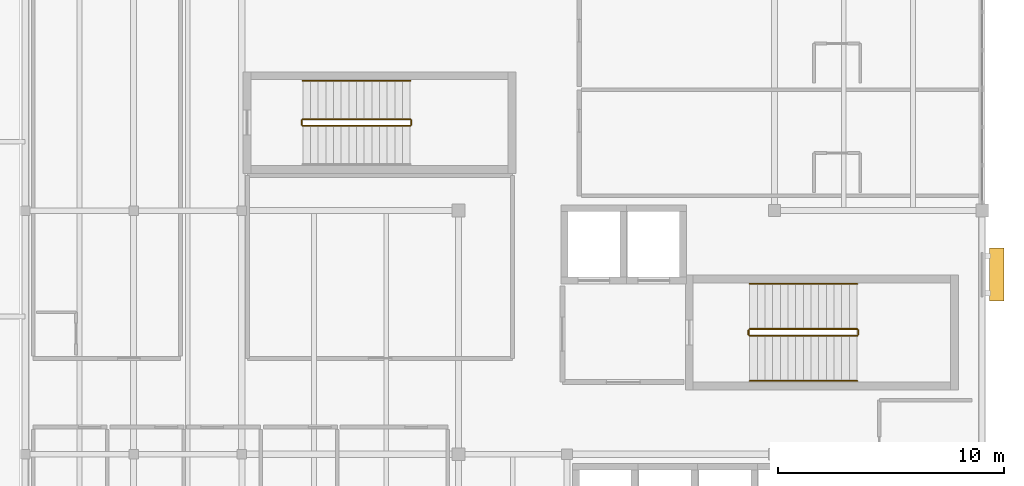
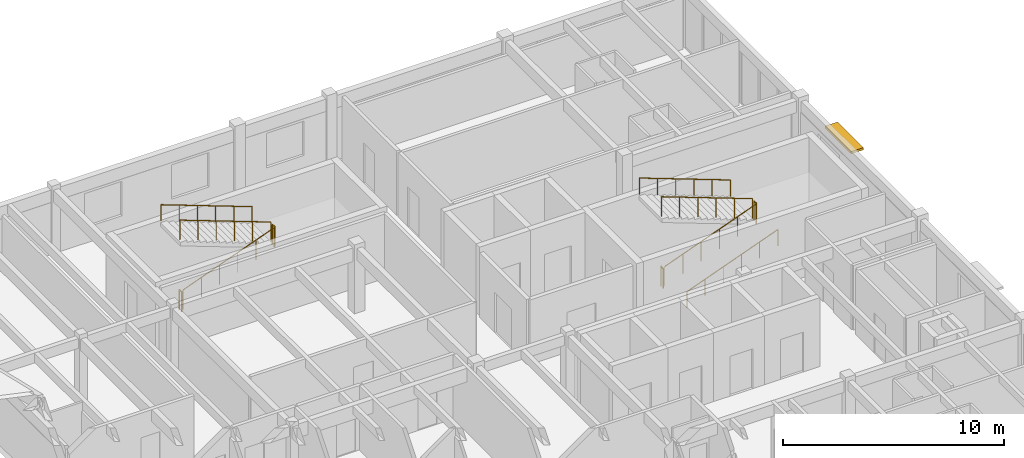
# One storey, part 40 of 40: 11 railings, 1 shading device.
"""IFC4 building model written with IfcOpenShell, lengths in metres."""

from ifc_helpers import new_model, si_unit, direction, frame, origin, origin_2d, place, context, subcontext, project, spatial, rectangle, circle, extrude, material, type_object, element, save


model = new_model("IFC4")

# Units and contexts
model_context = context("Model", 3, precision=1e-05, world=origin(), true_north=direction((0.0, 1.0)))
body_context = subcontext(model_context, "Body", "Model", "MODEL_VIEW")
ifc_project = project(units=[si_unit("LENGTHUNIT", "METRE"), si_unit("AREAUNIT", "SQUARE_METRE"), si_unit("VOLUMEUNIT", "CUBIC_METRE"), si_unit("PLANEANGLEUNIT", "RADIAN"), si_unit("MASSUNIT", "GRAM", prefix="KILO")], contexts=[model_context])

# Site, building, storey
site_placement = place(None, origin())
site = spatial("IfcSite", under=ifc_project, at=site_placement, CompositionType="ELEMENT")
building_placement = place(site_placement, origin())
building = spatial("IfcBuilding", under=site, at=building_placement, Name="Veldera Park Congress Hotel", CompositionType="ELEMENT")
storey_placement = place(building_placement, frame((0.0, 0.0, 16.199951171875)))
storey = spatial("IfcBuildingStorey", under=building, at=storey_placement, Name="L03", CompositionType="ELEMENT", Elevation=16.199951171875)

# Railings
ifc_material_1 = material(Name="Steel ASTM A992 Gr.50", Category="steel")
railing_type_1 = type_object("IfcRailingType", Name="GRD-ST110", PredefinedType="GUARDRAIL", material=ifc_material_1)
railing_1_placement = place(storey_placement, frame((73.699951171875, 41.64990234375, 0.126708984375)))
element("IfcRailing", 1, at=railing_1_placement, inside=storey, type_object=railing_type_1, Name="L03 ST1 stair guard 1", PredefinedType="GUARDRAIL", context=body_context, shape_type="SweptSolid", body=[
    extrude(circle(Radius=0.02392578125, at=origin_2d()), frame((0.0, 0.0, 1.076171875), z_axis=(0.937075640343, 0.0, 0.349126401572), x_axis=(0.0, 1.0, 0.0)), (0.0, 0.0, 1.0), 5.07958984375),
    extrude(circle(Radius=0.02099609375, at=origin_2d()), origin(), (0.0, 0.0, 1.0), 1.052001953125),
    extrude(circle(Radius=0.02099609375, at=origin_2d()), frame((0.951904296875, 0.0, 0.354736328125)), (0.0, 0.0, 1.0), 1.052001953125),
    extrude(circle(Radius=0.02099609375, at=origin_2d()), frame((1.904052734375, 0.0, 0.70947265625)), (0.0, 0.0, 1.0), 1.052001953125),
    extrude(circle(Radius=0.02099609375, at=origin_2d()), frame((2.85595703125, 0.0, 1.06396484375)), (0.0, 0.0, 1.0), 1.052001953125),
    extrude(circle(Radius=0.02099609375, at=origin_2d()), frame((3.80810546875, 0.0, 1.418701171875)), (0.0, 0.0, 1.0), 1.052001953125),
    extrude(circle(Radius=0.02099609375, at=origin_2d()), frame((4.760009765625, 0.0, 1.7734375)), (0.0, 0.0, 1.0), 1.052001953125),
])
railing_2_placement = place(storey_placement, frame((78.510009765625, 41.699951171875, 1.900146484375)))
element("IfcRailing", 2, at=railing_2_placement, inside=storey, type_object=railing_type_1, Name="L03 ST1 stair guard 2", PredefinedType="GUARDRAIL", context=body_context, shape_type="SweptSolid", body=[
    extrude(circle(Radius=0.02392578125, at=origin_2d()), frame((0.0, 0.0, 1.076171875), z_axis=(0.0, 1.0, 0.0), x_axis=(-1.0, 0.0, 0.0)), (0.0, 0.0, 1.0), 0.199951171875),
    extrude(circle(Radius=0.02099609375, at=origin_2d()), origin(), (0.0, 0.0, 1.0), 1.052001953125),
    extrude(circle(Radius=0.02099609375, at=origin_2d()), frame((0.0, 0.199951171875, 0.0)), (0.0, 0.0, 1.0), 1.052001953125),
])
railing_3_placement = place(storey_placement, frame((78.4599609375, 41.949951171875, 2.026611328125)))
element("IfcRailing", 3, at=railing_3_placement, inside=storey, type_object=railing_type_1, Name="L03 ST1 stair guard 3", PredefinedType="GUARDRAIL", context=body_context, shape_type="SweptSolid", body=[
    extrude(circle(Radius=0.02392578125, at=origin_2d()), frame((0.0, 0.0, 1.076171875), z_axis=(-0.937075640343, 0.0, 0.349126401572), x_axis=(0.0, -1.0, 0.0)), (0.0, 0.0, 1.0), 5.07958984375),
    extrude(circle(Radius=0.02099609375, at=origin_2d()), origin(), (0.0, 0.0, 1.0), 1.052001953125),
    extrude(circle(Radius=0.02099609375, at=origin_2d()), frame((-0.951904296875, 0.0, 0.354736328125)), (0.0, 0.0, 1.0), 1.052001953125),
    extrude(circle(Radius=0.02099609375, at=origin_2d()), frame((-1.904052734375, 0.0, 0.70947265625)), (0.0, 0.0, 1.0), 1.052001953125),
    extrude(circle(Radius=0.02099609375, at=origin_2d()), frame((-2.85595703125, 0.0, 1.06396484375)), (0.0, 0.0, 1.0), 1.052001953125),
    extrude(circle(Radius=0.02099609375, at=origin_2d()), frame((-3.80810546875, 0.0, 1.418701171875)), (0.0, 0.0, 1.0), 1.052001953125),
    extrude(circle(Radius=0.02099609375, at=origin_2d()), frame((-4.760009765625, 0.0, 1.7734375)), (0.0, 0.0, 1.0), 1.052001953125),
])
railing_4_placement = place(storey_placement, frame((73.64990234375, 41.699951171875, 0.0)))
element("IfcRailing", 4, at=railing_4_placement, inside=storey, type_object=railing_type_1, Name="L03 ST1 stair guard 4", PredefinedType="GUARDRAIL", context=body_context, shape_type="SweptSolid", body=[
    extrude(circle(Radius=0.02392578125, at=origin_2d()), frame((0.0, 0.0, 1.076171875), z_axis=(0.0, 1.0, 0.0), x_axis=(-1.0, 0.0, 0.0)), (0.0, 0.0, 1.0), 0.199951171875),
    extrude(circle(Radius=0.02099609375, at=origin_2d()), origin(), (0.0, 0.0, 1.0), 1.052001953125),
    extrude(circle(Radius=0.02099609375, at=origin_2d()), frame((0.0, 0.199951171875, 0.0)), (0.0, 0.0, 1.0), 1.052001953125),
])
railing_5_placement = place(storey_placement, frame((53.89990234375, 50.949951171875, 0.126708984375)))
element("IfcRailing", 5, at=railing_5_placement, inside=storey, type_object=railing_type_1, Name="L03 ST3 stair guard 1", PredefinedType="GUARDRAIL", context=body_context, shape_type="SweptSolid", body=[
    extrude(circle(Radius=0.02392578125, at=origin_2d()), frame((0.0, 0.0, 1.076171875), z_axis=(0.937075640343, 0.0, 0.349126401572), x_axis=(0.0, 1.0, 0.0)), (0.0, 0.0, 1.0), 5.07958984375),
    extrude(circle(Radius=0.02099609375, at=origin_2d()), origin(), (0.0, 0.0, 1.0), 1.052001953125),
    extrude(circle(Radius=0.02099609375, at=origin_2d()), frame((0.951904296875, 0.0, 0.354736328125)), (0.0, 0.0, 1.0), 1.052001953125),
    extrude(circle(Radius=0.02099609375, at=origin_2d()), frame((1.904052734375, 0.0, 0.70947265625)), (0.0, 0.0, 1.0), 1.052001953125),
    extrude(circle(Radius=0.02099609375, at=origin_2d()), frame((2.85595703125, 0.0, 1.06396484375)), (0.0, 0.0, 1.0), 1.052001953125),
    extrude(circle(Radius=0.02099609375, at=origin_2d()), frame((3.80810546875, 0.0, 1.418701171875)), (0.0, 0.0, 1.0), 1.052001953125),
    extrude(circle(Radius=0.02099609375, at=origin_2d()), frame((4.760009765625, 0.0, 1.7734375)), (0.0, 0.0, 1.0), 1.052001953125),
])
railing_6_placement = place(storey_placement, frame((58.7099609375, 51.0, 1.900146484375)))
element("IfcRailing", 6, at=railing_6_placement, inside=storey, type_object=railing_type_1, Name="L03 ST3 stair guard 2", PredefinedType="GUARDRAIL", context=body_context, shape_type="SweptSolid", body=[
    extrude(circle(Radius=0.02392578125, at=origin_2d()), frame((0.0, 0.0, 1.076171875), z_axis=(0.0, 1.0, 0.0), x_axis=(-1.0, 0.0, 0.0)), (0.0, 0.0, 1.0), 0.199951171875),
    extrude(circle(Radius=0.02099609375, at=origin_2d()), origin(), (0.0, 0.0, 1.0), 1.052001953125),
    extrude(circle(Radius=0.02099609375, at=origin_2d()), frame((0.0, 0.199951171875, 0.0)), (0.0, 0.0, 1.0), 1.052001953125),
])
railing_7_placement = place(storey_placement, frame((58.659912109375, 51.25, 2.026611328125)))
element("IfcRailing", 7, at=railing_7_placement, inside=storey, type_object=railing_type_1, Name="L03 ST3 stair guard 3", PredefinedType="GUARDRAIL", context=body_context, shape_type="SweptSolid", body=[
    extrude(circle(Radius=0.02392578125, at=origin_2d()), frame((0.0, 0.0, 1.076171875), z_axis=(-0.937075640343, 0.0, 0.349126401572), x_axis=(0.0, -1.0, 0.0)), (0.0, 0.0, 1.0), 5.07958984375),
    extrude(circle(Radius=0.02099609375, at=origin_2d()), origin(), (0.0, 0.0, 1.0), 1.052001953125),
    extrude(circle(Radius=0.02099609375, at=origin_2d()), frame((-0.951904296875, 0.0, 0.354736328125)), (0.0, 0.0, 1.0), 1.052001953125),
    extrude(circle(Radius=0.02099609375, at=origin_2d()), frame((-1.904052734375, 0.0, 0.70947265625)), (0.0, 0.0, 1.0), 1.052001953125),
    extrude(circle(Radius=0.02099609375, at=origin_2d()), frame((-2.85595703125, 0.0, 1.06396484375)), (0.0, 0.0, 1.0), 1.052001953125),
    extrude(circle(Radius=0.02099609375, at=origin_2d()), frame((-3.80810546875, 0.0, 1.418701171875)), (0.0, 0.0, 1.0), 1.052001953125),
    extrude(circle(Radius=0.02099609375, at=origin_2d()), frame((-4.760009765625, 0.0, 1.7734375)), (0.0, 0.0, 1.0), 1.052001953125),
])
railing_8_placement = place(storey_placement, frame((53.85009765625, 51.0, 0.0)))
element("IfcRailing", 8, at=railing_8_placement, inside=storey, type_object=railing_type_1, Name="L03 ST3 stair guard 4", PredefinedType="GUARDRAIL", context=body_context, shape_type="SweptSolid", body=[
    extrude(circle(Radius=0.02392578125, at=origin_2d()), frame((0.0, 0.0, 1.076171875), z_axis=(0.0, 1.0, 0.0), x_axis=(-1.0, 0.0, 0.0)), (0.0, 0.0, 1.0), 0.199951171875),
    extrude(circle(Radius=0.02099609375, at=origin_2d()), origin(), (0.0, 0.0, 1.0), 1.052001953125),
    extrude(circle(Radius=0.02099609375, at=origin_2d()), frame((0.0, 0.199951171875, 0.0)), (0.0, 0.0, 1.0), 1.052001953125),
])
railing_type_2 = type_object("IfcRailingType", Name="HRL-920", PredefinedType="HANDRAIL", material=ifc_material_1)
railing_9_placement = place(storey_placement, frame((73.699951171875, 39.64990234375, 0.126708984375)))
element("IfcRailing", 9, at=railing_9_placement, inside=storey, type_object=railing_type_2, Name="L03 ST1 stair handrail 1", PredefinedType="HANDRAIL", context=body_context, shape_type="SweptSolid", body=[
    extrude(circle(Radius=0.02392578125, at=origin_2d()), frame((0.0, 0.0, 0.89599609375), z_axis=(0.937075640343, 0.0, 0.349126401572), x_axis=(0.0, 1.0, 0.0)), (0.0, 0.0, 1.0), 5.07958984375),
    extrude(circle(Radius=0.02099609375, at=origin_2d()), origin(), (0.0, 0.0, 1.0), 0.871826171875),
    extrude(circle(Radius=0.02099609375, at=origin_2d()), frame((0.951904296875, 0.0, 0.354736328125)), (0.0, 0.0, 1.0), 0.871826171875),
    extrude(circle(Radius=0.02099609375, at=origin_2d()), frame((1.904052734375, 0.0, 0.70947265625)), (0.0, 0.0, 1.0), 0.871826171875),
    extrude(circle(Radius=0.02099609375, at=origin_2d()), frame((2.85595703125, 0.0, 1.06396484375)), (0.0, 0.0, 1.0), 0.871826171875),
    extrude(circle(Radius=0.02099609375, at=origin_2d()), frame((3.80810546875, 0.0, 1.418701171875)), (0.0, 0.0, 1.0), 0.871826171875),
    extrude(circle(Radius=0.02099609375, at=origin_2d()), frame((4.760009765625, 0.0, 1.7734375)), (0.0, 0.0, 1.0), 0.871826171875),
])
for number, where, name in (
    (10, (78.4599609375, 43.949951171875, 2.026611328125), "L03 ST1 stair handrail 2"),
    (11, (58.659912109375, 52.949951171875, 2.026611328125), "L03 ST3 stair handrail 2"),
):
    element("IfcRailing", number, at=place(storey_placement, frame(where)), inside=storey, type_object=railing_type_2, Name=name, PredefinedType="HANDRAIL", context=body_context, shape_type="SweptSolid", body=[
        extrude(circle(Radius=0.02392578125, at=origin_2d()), frame((0.0, 0.0, 0.89599609375), z_axis=(-0.937075640343, 0.0, 0.349126401572), x_axis=(0.0, -1.0, 0.0)), (0.0, 0.0, 1.0), 5.07958984375),
        extrude(circle(Radius=0.02099609375, at=origin_2d()), origin(), (0.0, 0.0, 1.0), 0.871826171875),
        extrude(circle(Radius=0.02099609375, at=origin_2d()), frame((-0.951904296875, 0.0, 0.354736328125)), (0.0, 0.0, 1.0), 0.871826171875),
        extrude(circle(Radius=0.02099609375, at=origin_2d()), frame((-1.904052734375, 0.0, 0.70947265625)), (0.0, 0.0, 1.0), 0.871826171875),
        extrude(circle(Radius=0.02099609375, at=origin_2d()), frame((-2.85595703125, 0.0, 1.06396484375)), (0.0, 0.0, 1.0), 0.871826171875),
        extrude(circle(Radius=0.02099609375, at=origin_2d()), frame((-3.80810546875, 0.0, 1.418701171875)), (0.0, 0.0, 1.0), 0.871826171875),
        extrude(circle(Radius=0.02099609375, at=origin_2d()), frame((-4.760009765625, 0.0, 1.7734375)), (0.0, 0.0, 1.0), 0.871826171875),
    ])

# Shading device
ifc_material_2 = material(Name="Glulam GL28h (NDS 24F-V4)", Category="wood")
shading_device_type = type_object("IfcShadingDeviceType", Name="SHD-LVR300", PredefinedType="JALOUSIE", material=ifc_material_2)
shading_device_placement = place(storey_placement, frame((84.64501953125, 44.361083984375, 2.77001953125), z_axis=(0.0, 0.0, 1.0), x_axis=(0.0, 1.0, 0.0)))
element("IfcShadingDevice", 12, at=shading_device_placement, inside=storey, type_object=shading_device_type, Name="Glulam Solar Shade 137", PredefinedType="JALOUSIE", context=body_context, shape_type="SweptSolid", body=[
    extrude(rectangle(XDim=2.35009765625, YDim=0.64990234375, at=origin_2d()), origin(), (0.0, 0.0, 1.0), 0.1201171875),
])

save(model, "model.ifc")
